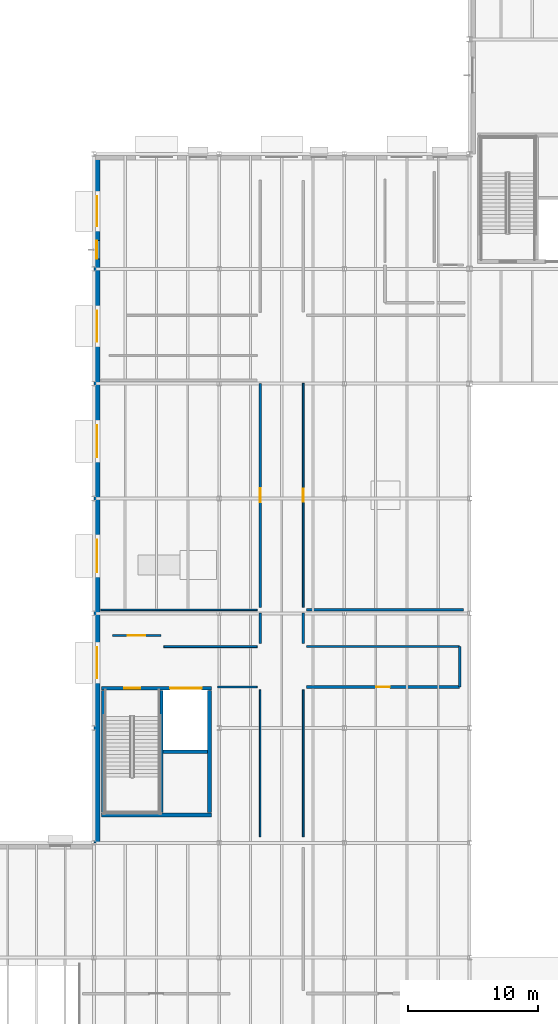
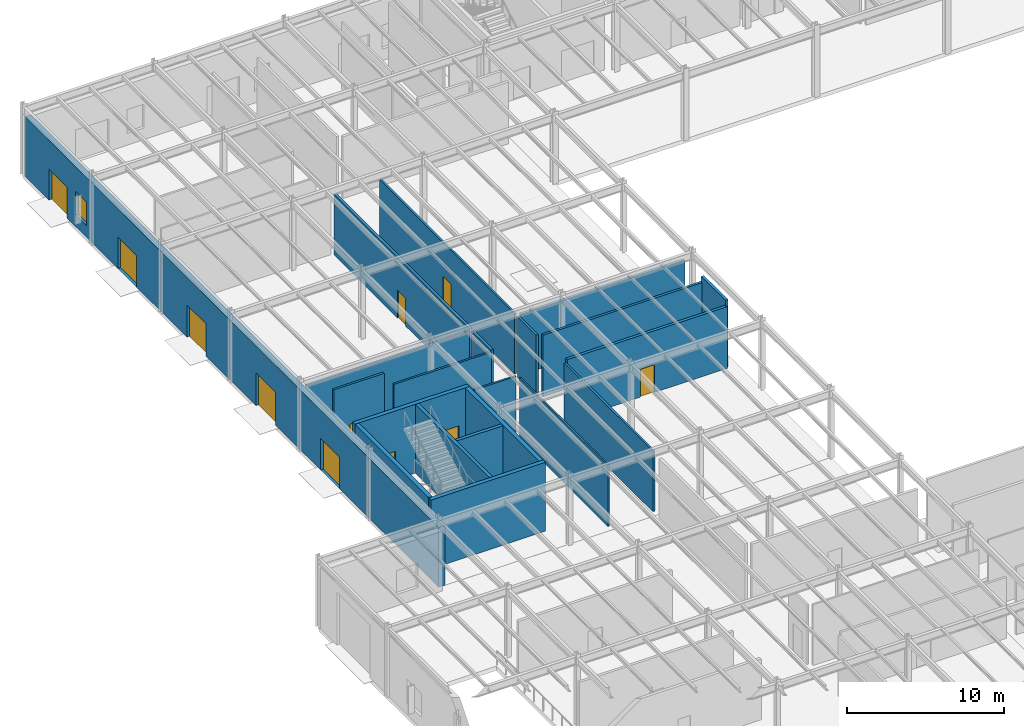
# One storey, part 45 of 70: 21 walls, 11 doors, 1 window, 12 openings.
"""IFC4 building model written with IfcOpenShell, lengths in metres."""

import ifcopenshell
import ifcopenshell.guid

model = None  # the IFC model being written
_history = None  # IfcOwnerHistory: only IFC2X3 demands one
_inside = {}  # id of a spatial element -> (the spatial element, [elements in it])
_under = {}  # id of a project, library or spatial element -> (it, [spatial elements below it])
_declared = {}  # id of a project -> (the project, [libraries it declares])
_typed = {}  # id of a type object -> (the type object, [elements of that type])
_made_of = {}  # id of a material, layer set ... -> (it, [elements and type objects made of it])


def new_model(schema):
    """Start an empty IFC model of exactly this schema.

    Asked for "IFC4X3", IfcOpenShell would pick the latest addendum, in which some entities
    have other attributes; the version numbers below select the first issue.
    IFC2X3 requires an IfcOwnerHistory on every rooted entity: one is made here for all.
    """
    global model, _history
    if schema == "IFC4X3":
        model = ifcopenshell.file(schema_version=(4, 3, 0, 0))
    else:
        model = ifcopenshell.file(schema=schema)
    _inside.clear()
    _under.clear()
    _declared.clear()
    _typed.clear()
    _made_of.clear()
    _history = None
    if model.schema == "IFC2X3":
        org = make("IfcOrganization", Name="unknown")
        user = make(
            "IfcPersonAndOrganization",
            ThePerson=make("IfcPerson", FamilyName="unknown"),
            TheOrganization=org,
        )
        app = make(
            "IfcApplication",
            ApplicationDeveloper=org,
            Version="unknown",
            ApplicationFullName="unknown",
            ApplicationIdentifier="unknown",
        )
        _history = make(
            "IfcOwnerHistory",
            OwningUser=user,
            OwningApplication=app,
            ChangeAction="ADDED",
            CreationDate=0,
        )
    return model


def make(cls, **values):
    """One entity of the class cls with the attributes given. An attribute that is None is left unset."""
    return model.create_entity(
        cls, **{name: value for name, value in values.items() if value is not None}
    )


def rooted(cls, **values):
    """An entity with a GlobalId (a new one), such as an element, a storey or a relation."""
    return make(cls, GlobalId=ifcopenshell.guid.new(), OwnerHistory=_history, **values)


def si_unit(unit_type, name, prefix=None):
    """IfcSIUnit, for example si_unit("LENGTHUNIT", "METRE", prefix="MILLI")."""
    return make("IfcSIUnit", UnitType=unit_type, Prefix=prefix, Name=name)


def assignment(units):
    """IfcUnitAssignment: the units of a project."""
    return None if units is None else make("IfcUnitAssignment", Units=units)


def point(xyz):
    """IfcCartesianPoint."""
    return None if xyz is None else make("IfcCartesianPoint", Coordinates=xyz)


def direction(xyz):
    """IfcDirection."""
    return None if xyz is None else make("IfcDirection", DirectionRatios=xyz)


def frame(location, z_axis=None, x_axis=None):
    """IfcAxis2Placement3D, a coordinate frame: its origin and axes. An axis left out is left unset."""
    return make(
        "IfcAxis2Placement3D",
        Location=point(location),
        Axis=direction(z_axis),
        RefDirection=direction(x_axis),
    )


def frame_2d(location, x_axis=None):
    """IfcAxis2Placement2D, a coordinate frame in the plane: its origin and x axis."""
    return make(
        "IfcAxis2Placement2D", Location=point(location), RefDirection=direction(x_axis)
    )


def origin():
    """The frame at (0, 0, 0) with its axes left unset."""
    return frame((0.0, 0.0, 0.0))


def place(relative_to, where):
    """IfcLocalPlacement: puts the frame where relative to a parent placement (None: the world)."""
    return make(
        "IfcLocalPlacement", PlacementRelTo=relative_to, RelativePlacement=where
    )


def context(
    kind, dimensions, precision=None, world=None, true_north=None, identifier=None
):
    """IfcGeometricRepresentationContext, for example the 3D "Model" context."""
    return make(
        "IfcGeometricRepresentationContext",
        ContextIdentifier=identifier,
        ContextType=kind,
        CoordinateSpaceDimension=dimensions,
        Precision=precision,
        WorldCoordinateSystem=world,
        TrueNorth=true_north,
    )


def subcontext(parent, identifier, kind, view, scale=None):
    """IfcGeometricRepresentationSubContext, for example "Body" below "Model"."""
    return make(
        "IfcGeometricRepresentationSubContext",
        ContextIdentifier=identifier,
        ContextType=kind,
        ParentContext=parent,
        TargetScale=scale,
        TargetView=view,
    )


def project(units=None, contexts=None):
    """IfcProject with its units and contexts."""
    return rooted(
        "IfcProject",
        Name="project",
        RepresentationContexts=contexts,
        UnitsInContext=assignment(units),
    )


def spatial(cls, under=None, at=None, **own):
    """A site, building, storey or space (cls), placed at a placement, below another one or the project."""
    s = rooted(cls, ObjectPlacement=at, **own)
    if under is not None:
        _under.setdefault(under.id(), (under, []))[1].append(s)
    return s


def profile(cls, at=None, kind="AREA", **sizes):
    """A parametric profile (cls). Its sizes go by their IFC names, for example OverallWidth=200.0."""
    return make(cls, ProfileType=kind, Position=at, **sizes)


def rectangle(**sizes):
    """IfcRectangleProfileDef."""
    return profile("IfcRectangleProfileDef", **sizes)


def extrude(swept, where, along, depth):
    """IfcExtrudedAreaSolid: the profile swept, set in the frame where, extruded along a direction by depth."""
    return make(
        "IfcExtrudedAreaSolid",
        SweptArea=swept,
        Position=where,
        ExtrudedDirection=direction(along),
        Depth=depth,
    )


def shape(context_of_items, identifier, shape_type, items):
    """IfcShapeRepresentation: the items that make up one representation, for example the "Body"."""
    return make(
        "IfcShapeRepresentation",
        ContextOfItems=context_of_items,
        RepresentationIdentifier=identifier,
        RepresentationType=shape_type,
        Items=items,
    )


def material(Name=None, Category=None):
    """IfcMaterial."""
    return make("IfcMaterial", Name=Name, Category=Category)


def layer(
    of_material, thickness, ventilated=None, Name=None, Category=None, Priority=None
):
    """IfcMaterialLayer: one layer of a wall or slab, of a material (None: an air gap)."""
    return make(
        "IfcMaterialLayer",
        Material=of_material,
        LayerThickness=thickness,
        IsVentilated=ventilated,
        Name=Name,
        Category=Category,
        Priority=Priority,
    )


def layer_set(layers, Name=None):
    """IfcMaterialLayerSet."""
    return make("IfcMaterialLayerSet", MaterialLayers=layers, LayerSetName=Name)


def made_of(thing, what):
    """Note that an element or type object is made of a material, layer set ...; save() writes the relation."""
    if what is not None:
        _made_of.setdefault(what.id(), (what, []))[1].append(thing)
    return thing


def type_object(cls, material=None, **own):
    """A type object (cls), such as IfcWallType, which elements share."""
    return made_of(rooted(cls, **own), material)


def element(
    cls,
    number,
    at=None,
    inside=None,
    cuts=None,
    type_object=None,
    material=None,
    context=None,
    identifier="Body",
    shape_type=None,
    held_by="IfcProductDefinitionShape",
    body=None,
    shapes=None,
    **own,
):
    """One element of the class cls, such as IfcWall. Its Tag is "e" and its number.

    at: its placement. inside: the storey or other place that contains it. cuts: it is an
    opening in that element (IfcRelVoidsElement). A single representation is given by context,
    identifier, shape_type and body (its items); several are given by shapes. held_by: the class
    of the entity that holds the representations. save() writes the other relations.
    """
    e = rooted(cls, Tag="e%d" % number, ObjectPlacement=at, **own)
    if body is not None:
        shapes = [shape(context, identifier, shape_type, body)]
    if shapes is not None:
        e.Representation = make(held_by, Representations=shapes)
    if inside is not None:
        _inside.setdefault(inside.id(), (inside, []))[1].append(e)
    if cuts is not None:
        rooted(
            "IfcRelVoidsElement", RelatingBuildingElement=cuts, RelatedOpeningElement=e
        )
    if type_object is not None:
        _typed.setdefault(type_object.id(), (type_object, []))[1].append(e)
    return made_of(e, material)


def fill(opening, filler):
    """IfcRelFillsElement: the door or window that sits in an opening."""
    return rooted(
        "IfcRelFillsElement",
        RelatingOpeningElement=opening,
        RelatedBuildingElement=filler,
    )


def aggregate(whole, parts):
    """IfcRelAggregates: a whole, such as a stair, and the parts it consists of."""
    return rooted("IfcRelAggregates", RelatingObject=whole, RelatedObjects=parts)


def save(model, path):
    """Write the relations noted so far, then the file.

    IfcRelAggregates (storeys below a building ...), IfcRelContainedInSpatialStructure (elements
    in a storey), IfcRelDefinesByType, IfcRelAssociatesMaterial and IfcRelDeclares: one each for
    every whole, place, type object, material and project.
    """
    for whole, parts in _under.values():
        aggregate(whole, parts)
    for where, things in _inside.values():
        rooted(
            "IfcRelContainedInSpatialStructure",
            RelatedElements=things,
            RelatingStructure=where,
        )
    for kind, things in _typed.values():
        rooted("IfcRelDefinesByType", RelatedObjects=things, RelatingType=kind)
    for what, things in _made_of.values():
        rooted("IfcRelAssociatesMaterial", RelatedObjects=things, RelatingMaterial=what)
    for by, libraries in _declared.values():
        rooted("IfcRelDeclares", RelatingContext=by, RelatedDefinitions=libraries)
    model.write(path)


model = new_model("IFC4")

# Units and contexts
model_context = context("Model", 3, precision=1e-05, world=origin(), true_north=direction((0.0, 1.0)))
body_context = subcontext(model_context, "Body", "Model", "MODEL_VIEW")
ifc_project = project(units=[si_unit("LENGTHUNIT", "METRE"), si_unit("AREAUNIT", "SQUARE_METRE"), si_unit("VOLUMEUNIT", "CUBIC_METRE"), si_unit("PLANEANGLEUNIT", "RADIAN"), si_unit("MASSUNIT", "GRAM", prefix="KILO")], contexts=[model_context])

# Site, building, storey
site_placement = place(None, origin())
site = spatial("IfcSite", under=ifc_project, at=site_placement, CompositionType="ELEMENT")
building_placement = place(site_placement, origin())
building = spatial("IfcBuilding", under=site, at=building_placement, Name="Sarnbrook Museum", CompositionType="ELEMENT")
storey_placement = place(building_placement, origin())
storey = spatial("IfcBuildingStorey", under=building, at=storey_placement, Name="L00", CompositionType="ELEMENT", Elevation=0.0)

# Wall
ifc_material_1 = material(Name="Concrete N50 (AS 3600, f'c = 50 MPa)", Category="concrete")
ifc_layer_1 = layer(ifc_material_1, 0.300048828125)
ifc_layer_set_1 = layer_set([ifc_layer_1], Name="Concrete N50 (AS 3600, f'c = 50 MPa)")
wall_type_1 = type_object("IfcWallType", Name="CoreWall_CWRC", PredefinedType="SHEAR", material=ifc_layer_set_1)
wall_1_placement = place(storey_placement, frame((14.199951171875, 41.35009765625, 0.0), z_axis=(0.0, 0.0, 1.0), x_axis=(1.0, 0.0, 0.0)))
element("IfcWall", 1, at=wall_1_placement, inside=storey, type_object=wall_type_1, Name="Core C5 Shear Wall S L00", PredefinedType="SHEAR", context=body_context, shape_type="SweptSolid", body=[
    extrude(rectangle(XDim=8.400146484375, YDim=0.300048828125, at=frame_2d((4.2001953125, 0.0))), origin(), (0.0, 0.0, 1.0), 5.344970703125),
])

# Wall, openings, doors
wall_2_placement = place(storey_placement, frame((22.60009765625, 51.050048828125, 0.0), z_axis=(0.0, 0.0, 1.0), x_axis=(-1.0, 0.0, 0.0)))
wall_2 = element("IfcWall", 2, at=wall_2_placement, inside=storey, type_object=wall_type_1, Name="Core C5 Shear Wall N L00", PredefinedType="SHEAR", context=body_context, shape_type="SweptSolid", body=[
    extrude(rectangle(XDim=8.400146484375, YDim=0.300048828125, at=frame_2d((4.2001953125, 0.0))), origin(), (0.0, 0.0, 1.0), 5.344970703125),
])
opening_1_placement = place(wall_2_placement, frame((5.43505859375, 0.0, 0.0)))
opening_1 = element("IfcOpeningElement", 3, at=opening_1_placement, cuts=wall_2, Name="Opening D-ST-ST5-L00", PredefinedType="OPENING", context=body_context, shape_type="SweptSolid", body=[
    extrude(rectangle(XDim=1.25, YDim=2.199951171875, at=frame_2d((0.625, 1.10009765625))), frame((0.0, 0.16015625, 0.0), z_axis=(0.0, -1.0, 0.0), x_axis=(1.0, 0.0, 0.0)), (0.0, 0.0, 1.0), 0.320068359375),
])
opening_2_placement = place(wall_2_placement, frame((0.75, 0.0, 0.0)))
opening_2 = element("IfcOpeningElement", 4, at=opening_2_placement, cuts=wall_2, Name="Opening LD-GL1-L00", PredefinedType="OPENING", context=body_context, shape_type="SweptSolid", body=[
    extrude(rectangle(XDim=2.39990234375, YDim=2.550048828125, at=frame_2d((1.199951171875, 1.27490234375))), frame((0.0, 0.16015625, 0.0), z_axis=(0.0, -1.0, 0.0), x_axis=(1.0, 0.0, 0.0)), (0.0, 0.0, 1.0), 0.320068359375),
])
ifc_material_2 = material(Name="Tasmanian Oak Acoustic Timber", Category="wood")
door_type_1 = type_object("IfcDoorType", Name="FireDoor_FD120", OperationType="NOTDEFINED", PredefinedType="DOOR", material=ifc_material_2)
door_1_placement = place(opening_1_placement, frame((1.25, 0.0, 0.0), z_axis=(0.0, 0.0, 1.0), x_axis=(-1.0, 0.0, 0.0)))
door_1 = element("IfcDoor", 5, at=door_1_placement, inside=storey, type_object=door_type_1, Name="Exit Stair ST5 Fire Door L00", OperationType="SINGLE_SWING_LEFT", OverallHeight=2.199951171875, OverallWidth=1.25, PredefinedType="DOOR", context=body_context, shape_type="SweptSolid", body=[
    extrude(rectangle(XDim=1.25, YDim=2.199951171875, at=frame_2d((0.625, 1.10009765625))), frame((0.0, 0.02490234375, 0.0), z_axis=(0.0, -1.0, 0.0), x_axis=(1.0, 0.0, 0.0)), (0.0, 0.0, 1.0), 0.050048828125),
])
fill(opening_1, door_1)
ifc_material_3 = material(Name="Brushed Stainless Steel Grade 316", Category="steel")
door_type_2 = type_object("IfcDoorType", Name="LiftDoor_Goods240", OperationType="DOUBLE_DOOR_SLIDING", PredefinedType="DOOR", material=ifc_material_3)
door_2_placement = place(opening_2_placement, origin())
door_2 = element("IfcDoor", 6, at=door_2_placement, inside=storey, type_object=door_type_2, Name="Lift Landing Sliding Door LD-GL1-L00", OperationType="DOUBLE_DOOR_SLIDING", OverallHeight=2.550048828125, OverallWidth=2.39990234375, PredefinedType="DOOR", context=body_context, shape_type="SweptSolid", body=[
    extrude(rectangle(XDim=2.39990234375, YDim=2.550048828125, at=frame_2d((1.199951171875, 1.27490234375))), frame((0.0, 0.02490234375, 0.0), z_axis=(0.0, -1.0, 0.0), x_axis=(1.0, 0.0, 0.0)), (0.0, 0.0, 1.0), 0.050048828125),
])
fill(opening_2, door_2)

# Walls
for number, where, z_axis, x_axis, name in (
    (7, (22.449951171875, 41.510009765625, 0.0), (0.0, 0.0, 1.0), (0.0, 1.0, 0.0), "Core C5 Shear Wall E L00"),
    (8, (14.35009765625, 50.889892578125, 0.0), (0.0, 0.0, 1.0), (0.0, -1.0, 0.0), "Core C5 Shear Wall W L00"),
):
    element("IfcWall", number, at=place(storey_placement, frame(where, z_axis=z_axis, x_axis=x_axis)), inside=storey, type_object=wall_type_1, Name=name, PredefinedType="SHEAR", context=body_context, shape_type="SweptSolid", body=[
        extrude(rectangle(XDim=9.3798828125, YDim=0.300048828125, at=frame_2d((4.68994140625, 0.0))), origin(), (0.0, 0.0, 1.0), 5.344970703125),
    ])
ifc_material_4 = material(Name="Fire-Rated Acoustic Gypsum Plasterboard")
ifc_layer_2 = layer(ifc_material_4, 0.1201171875)
ifc_layer_set_2 = layer_set([ifc_layer_2], Name="Fire-Rated Acoustic Gypsum Plasterboard")
wall_type_2 = type_object("IfcWallType", Name="PartWall_P120", PredefinedType="PARTITIONING", material=ifc_layer_set_2)
wall_3_placement = place(storey_placement, frame((26.35009765625, 50.919921875, 0.0), z_axis=(0.0, 0.0, 1.0), x_axis=(0.0, -1.0, 0.0)))
element("IfcWall", 9, at=wall_3_placement, inside=storey, type_object=wall_type_2, Name="Interior Partition Wall L00-0244", PredefinedType="PARTITIONING", context=body_context, shape_type="SweptSolid", body=[
    extrude(rectangle(XDim=11.27001953125, YDim=0.1201171875, at=frame_2d((5.635009765625, 0.0))), origin(), (0.0, 0.0, 1.0), 4.7080078125),
])
wall_4_placement = place(storey_placement, frame((14.139892578125, 57.06005859375, 0.0), z_axis=(0.0, 0.0, 1.0), x_axis=(1.0, 0.0, 0.0)))
element("IfcWall", 10, at=wall_4_placement, inside=storey, type_object=wall_type_2, Name="Interior Partition Wall L00-0286", PredefinedType="PARTITIONING", context=body_context, shape_type="SweptSolid", body=[
    extrude(rectangle(XDim=11.980224609375, YDim=0.1201171875, at=frame_2d((5.990234375, 0.0))), origin(), (0.0, 0.0, 1.0), 4.7080078125),
])
ifc_layer_3 = layer(ifc_material_4, 0.135009765625)
ifc_layer_set_3 = layer_set([ifc_layer_3], Name="Fire-Rated Acoustic Gypsum Plasterboard")
wall_type_3 = type_object("IfcWallType", Name="PartWall_P135", PredefinedType="PARTITIONING", material=ifc_layer_set_3)
wall_5_placement = place(storey_placement, frame((23.080078125, 51.14990234375, 0.0), z_axis=(0.0, 0.0, 1.0), x_axis=(1.0, 0.0, 0.0)))
element("IfcWall", 11, at=wall_5_placement, inside=storey, type_object=wall_type_3, Name="Interior Partition Wall L00-0243", PredefinedType="PARTITIONING", context=body_context, shape_type="SweptSolid", body=[
    extrude(rectangle(XDim=3.0400390625, YDim=0.135009765625, at=frame_2d((1.52001953125, 0.0))), origin(), (0.0, 0.0, 1.0), 4.787109375),
])

# Wall, opening, door
wall_6_placement = place(storey_placement, frame((29.64990234375, 57.25, 0.0), z_axis=(0.0, 0.0, 1.0), x_axis=(0.0, 1.0, 0.0)))
wall_6 = element("IfcWall", 12, at=wall_6_placement, inside=storey, type_object=wall_type_3, Name="Interior Partition Wall L00-0257", PredefinedType="PARTITIONING", context=body_context, shape_type="SweptSolid", body=[
    extrude(rectangle(XDim=17.179931640625, YDim=0.135009765625, at=frame_2d((8.58984375, 0.0))), origin(), (0.0, 0.0, 1.0), 4.7080078125),
])
opening_3_placement = place(wall_6_placement, frame((8.10009765625, 0.0, 0.0)))
opening_3 = element("IfcOpeningElement", 13, at=opening_3_placement, cuts=wall_6, Name="Opening D-L00-079", PredefinedType="OPENING", context=body_context, shape_type="SweptSolid", body=[
    extrude(rectangle(XDim=0.97998046875, YDim=2.080078125, at=frame_2d((0.489990234375, 1.0400390625))), frame((0.0, 0.07763671875, 0.0), z_axis=(0.0, -1.0, 0.0), x_axis=(1.0, 0.0, 0.0)), (0.0, 0.0, 1.0), 0.155029296875),
])
door_type_3 = type_object("IfcDoorType", Name="IntDoor_DT03", OperationType="NOTDEFINED", PredefinedType="DOOR", material=ifc_material_2)
door_3_placement = place(opening_3_placement, frame((0.97998046875, 0.0, 0.0), z_axis=(0.0, 0.0, 1.0), x_axis=(-1.0, 0.0, 0.0)))
door_3 = element("IfcDoor", 14, at=door_3_placement, inside=storey, type_object=door_type_3, Name="Fossil Megafauna Exhibition Hall L00-28 Door D-L00-079", OperationType="SINGLE_SWING_LEFT", OverallHeight=2.080078125, OverallWidth=0.97998046875, PredefinedType="DOOR", context=body_context, shape_type="SweptSolid", body=[
    extrude(rectangle(XDim=0.97998046875, YDim=2.080078125, at=frame_2d((0.489990234375, 1.0400390625))), frame((0.0, 0.02490234375, 0.0), z_axis=(0.0, -1.0, 0.0), x_axis=(1.0, 0.0, 0.0)), (0.0, 0.0, 1.0), 0.050048828125),
])
fill(opening_3, door_3)

# Walls
ifc_layer_4 = layer(ifc_material_4, 0.14990234375)
ifc_layer_set_4 = layer_set([ifc_layer_4], Name="Fire-Rated Acoustic Gypsum Plasterboard")
wall_type_4 = type_object("IfcWallType", Name="PartWall_P150", PredefinedType="PARTITIONING", material=ifc_layer_set_4)
wall_7_placement = place(storey_placement, frame((26.1201171875, 54.25, 0.0), z_axis=(0.0, 0.0, 1.0), x_axis=(-1.0, 0.0, 0.0)))
element("IfcWall", 15, at=wall_7_placement, inside=storey, type_object=wall_type_4, Name="Interior Partition Wall L00-0242", PredefinedType="PARTITIONING", context=body_context, shape_type="SweptSolid", body=[
    extrude(rectangle(XDim=7.150146484375, YDim=0.14990234375, at=frame_2d((3.5751953125, 0.0))), origin(), (0.0, 0.0, 1.0), 4.787109375),
])
wall_8_placement = place(storey_placement, frame((29.64990234375, 39.64990234375, 0.0), z_axis=(0.0, 0.0, 1.0), x_axis=(0.0, 1.0, 0.0)))
element("IfcWall", 16, at=wall_8_placement, inside=storey, type_object=wall_type_4, Name="Interior Partition Wall L00-0256", PredefinedType="PARTITIONING", context=body_context, shape_type="SweptSolid", body=[
    extrude(rectangle(XDim=11.27001953125, YDim=0.14990234375, at=frame_2d((5.635009765625, 0.0))), origin(), (0.0, 0.0, 1.0), 4.7080078125),
])

# Wall, opening, door
ifc_layer_5 = layer(ifc_material_4, 0.1650390625)
ifc_layer_set_5 = layer_set([ifc_layer_5], Name="Fire-Rated Acoustic Gypsum Plasterboard")
wall_type_5 = type_object("IfcWallType", Name="PartWall_P165", PredefinedType="PARTITIONING", material=ifc_layer_set_5)
wall_9_placement = place(storey_placement, frame((18.72998046875, 55.090087890625, 0.0), z_axis=(0.0, 0.0, 1.0), x_axis=(-1.0, 0.0, 0.0)))
wall_9 = element("IfcWall", 17, at=wall_9_placement, inside=storey, type_object=wall_type_5, Name="Interior Partition Wall L00-0157", PredefinedType="PARTITIONING", context=body_context, shape_type="SweptSolid", body=[
    extrude(rectangle(XDim=3.702880859375, YDim=0.1650390625, at=frame_2d((1.8515625, 0.0))), origin(), (0.0, 0.0, 1.0), 5.22998046875),
])
opening_4_placement = place(wall_9_placement, frame((1.181396484375, 0.0, 0.0)))
opening_4 = element("IfcOpeningElement", 18, at=opening_4_placement, cuts=wall_9, Name="Opening D-L00-051", PredefinedType="OPENING", context=body_context, shape_type="SweptSolid", body=[
    extrude(rectangle(XDim=1.340087890625, YDim=2.159912109375, at=frame_2d((0.669921875, 1.080078125))), frame((0.0, 0.092529296875, 0.0), z_axis=(0.0, -1.0, 0.0), x_axis=(1.0, 0.0, 0.0)), (0.0, 0.0, 1.0), 0.18505859375),
])
door_type_4 = type_object("IfcDoorType", Name="IntDoor_DT13", OperationType="NOTDEFINED", PredefinedType="DOOR", material=ifc_material_2)
door_4_placement = place(opening_4_placement, origin())
door_4 = element("IfcDoor", 19, at=door_4_placement, inside=storey, type_object=door_type_4, Name="Museum Bookshop & Retail Hall L00-24 Door D-L00-051", OperationType="SINGLE_SWING_LEFT", OverallHeight=2.159912109375, OverallWidth=1.340087890625, PredefinedType="DOOR", context=body_context, shape_type="SweptSolid", body=[
    extrude(rectangle(XDim=1.340087890625, YDim=2.159912109375, at=frame_2d((0.669921875, 1.080078125))), frame((0.0, 0.02490234375, 0.0), z_axis=(0.0, -1.0, 0.0), x_axis=(1.0, 0.0, 0.0)), (0.0, 0.0, 1.0), 0.050048828125),
])
fill(opening_4, door_4)

# Walls
wall_10_placement = place(storey_placement, frame((29.64990234375, 54.47998046875, 0.0), z_axis=(0.0, 0.0, 1.0), x_axis=(0.0, 1.0, 0.0)))
element("IfcWall", 20, at=wall_10_placement, inside=storey, type_object=wall_type_5, Name="Interior Partition Wall L00-0255", PredefinedType="PARTITIONING", context=body_context, shape_type="SweptSolid", body=[
    extrude(rectangle(XDim=2.35009765625, YDim=0.1650390625, at=frame_2d((1.175048828125, 0.0))), origin(), (0.0, 0.0, 1.0), 4.7080078125),
])
ifc_layer_6 = layer(ifc_material_4, 0.179931640625)
ifc_layer_set_6 = layer_set([ifc_layer_6], Name="Fire-Rated Acoustic Gypsum Plasterboard")
wall_type_6 = type_object("IfcWallType", Name="PartWall_P180", PredefinedType="PARTITIONING", material=ifc_layer_set_6)
wall_11_placement = place(storey_placement, frame((41.639892578125, 54.25, 0.0), z_axis=(0.0, 0.0, 1.0), x_axis=(-1.0, 0.0, 0.0)))
element("IfcWall", 21, at=wall_11_placement, inside=storey, type_object=wall_type_6, Name="Interior Partition Wall L00-0254", PredefinedType="PARTITIONING", context=body_context, shape_type="SweptSolid", body=[
    extrude(rectangle(XDim=11.760009765625, YDim=0.179931640625, at=frame_2d((5.8798828125, 0.0))), origin(), (0.0, 0.0, 1.0), 4.787109375),
])

# Wall, opening, door
ifc_layer_7 = layer(ifc_material_4, 0.195068359375)
ifc_layer_set_7 = layer_set([ifc_layer_7], Name="Fire-Rated Acoustic Gypsum Plasterboard")
wall_type_7 = type_object("IfcWallType", Name="PartWall_P195", PredefinedType="PARTITIONING", material=ifc_layer_set_7)
wall_12_placement = place(storey_placement, frame((26.35009765625, 74.429931640625, 0.0), z_axis=(0.0, 0.0, 1.0), x_axis=(0.0, -1.0, 0.0)))
wall_12 = element("IfcWall", 22, at=wall_12_placement, inside=storey, type_object=wall_type_7, Name="Interior Partition Wall L00-0246", PredefinedType="PARTITIONING", context=body_context, shape_type="SweptSolid", body=[
    extrude(rectangle(XDim=17.179931640625, YDim=0.195068359375, at=frame_2d((8.58984375, 0.0))), origin(), (0.0, 0.0, 1.0), 4.7080078125),
])
opening_5_placement = place(wall_12_placement, frame((8.06494140625, 0.0, 0.0)))
opening_5 = element("IfcOpeningElement", 23, at=opening_5_placement, cuts=wall_12, Name="Opening D-L00-077", PredefinedType="OPENING", context=body_context, shape_type="SweptSolid", body=[
    extrude(rectangle(XDim=1.050048828125, YDim=2.14990234375, at=frame_2d((0.52490234375, 1.074951171875))), frame((0.0, 0.107421875, 0.0), z_axis=(0.0, -1.0, 0.0), x_axis=(1.0, 0.0, 0.0)), (0.0, 0.0, 1.0), 0.215087890625),
])
door_type_5 = type_object("IfcDoorType", Name="FireDoor_FD60", OperationType="NOTDEFINED", PredefinedType="DOOR", material=ifc_material_2)
door_5_placement = place(opening_5_placement, origin())
door_5 = element("IfcDoor", 24, at=door_5_placement, inside=storey, type_object=door_type_5, Name="Garden Court Museum Cafe L00-25 Door D-L00-077", OperationType="SINGLE_SWING_LEFT", OverallHeight=2.14990234375, OverallWidth=1.050048828125, PredefinedType="DOOR", context=body_context, shape_type="SweptSolid", body=[
    extrude(rectangle(XDim=1.050048828125, YDim=2.14990234375, at=frame_2d((0.52490234375, 1.074951171875))), frame((0.0, 0.02490234375, 0.0), z_axis=(0.0, -1.0, 0.0), x_axis=(1.0, 0.0, 0.0)), (0.0, 0.0, 1.0), 0.050048828125),
])
fill(opening_5, door_5)

# Walls
wall_13_placement = place(storey_placement, frame((41.64990234375, 51.159912109375, 0.0), z_axis=(0.0, 0.0, 1.0), x_axis=(0.0, 1.0, 0.0)))
element("IfcWall", 25, at=wall_13_placement, inside=storey, type_object=wall_type_7, Name="Interior Partition Wall L00-0253", PredefinedType="PARTITIONING", context=body_context, shape_type="SweptSolid", body=[
    extrude(rectangle(XDim=3.080078125, YDim=0.195068359375, at=frame_2d((1.5400390625, 0.0))), origin(), (0.0, 0.0, 1.0), 5.22998046875),
])
wall_14_placement = place(storey_placement, frame((29.8798828125, 57.06005859375, 0.0), z_axis=(0.0, 0.0, 1.0), x_axis=(1.0, 0.0, 0.0)))
element("IfcWall", 26, at=wall_14_placement, inside=storey, type_object=wall_type_7, Name="Interior Partition Wall L00-0288", PredefinedType="PARTITIONING", context=body_context, shape_type="SweptSolid", body=[
    extrude(rectangle(XDim=12.0400390625, YDim=0.195068359375, at=frame_2d((6.02001953125, 0.0))), origin(), (0.0, 0.0, 1.0), 4.7080078125),
])
ifc_layer_8 = layer(ifc_material_4, 0.2099609375)
ifc_layer_set_8 = layer_set([ifc_layer_8], Name="Fire-Rated Acoustic Gypsum Plasterboard")
wall_type_8 = type_object("IfcWallType", Name="PartWall_P210", PredefinedType="PARTITIONING", material=ifc_layer_set_8)
wall_15_placement = place(storey_placement, frame((26.35009765625, 56.830078125, 0.0), z_axis=(0.0, 0.0, 1.0), x_axis=(0.0, -1.0, 0.0)))
element("IfcWall", 27, at=wall_15_placement, inside=storey, type_object=wall_type_8, Name="Interior Partition Wall L00-0245", PredefinedType="PARTITIONING", context=body_context, shape_type="SweptSolid", body=[
    extrude(rectangle(XDim=2.35009765625, YDim=0.2099609375, at=frame_2d((1.175048828125, 0.0))), origin(), (0.0, 0.0, 1.0), 4.7080078125),
])

# Wall, opening, door
wall_16_placement = place(storey_placement, frame((29.8798828125, 51.14990234375, 0.0), z_axis=(0.0, 0.0, 1.0), x_axis=(1.0, 0.0, 0.0)))
wall_16 = element("IfcWall", 28, at=wall_16_placement, inside=storey, type_object=wall_type_8, Name="Interior Partition Wall L00-0252", PredefinedType="PARTITIONING", context=body_context, shape_type="SweptSolid", body=[
    extrude(rectangle(XDim=11.760009765625, YDim=0.2099609375, at=frame_2d((5.8798828125, 0.0))), origin(), (0.0, 0.0, 1.0), 4.787109375),
])
opening_6_placement = place(wall_16_placement, frame((5.35498046875, 0.0, 0.0)))
opening_6 = element("IfcOpeningElement", 29, at=opening_6_placement, cuts=wall_16, Name="Opening D-L00-078", PredefinedType="OPENING", context=body_context, shape_type="SweptSolid", body=[
    extrude(rectangle(XDim=1.050048828125, YDim=2.14990234375, at=frame_2d((0.52490234375, 1.074951171875))), frame((0.0, 0.114990234375, 0.0), z_axis=(0.0, -1.0, 0.0), x_axis=(1.0, 0.0, 0.0)), (0.0, 0.0, 1.0), 0.22998046875),
])
door_6_placement = place(opening_6_placement, origin())
door_6 = element("IfcDoor", 30, at=door_6_placement, inside=storey, type_object=door_type_5, Name="Seminar & Education Studio L00-27 Door D-L00-078", OperationType="SINGLE_SWING_RIGHT", OverallHeight=2.14990234375, OverallWidth=1.050048828125, PredefinedType="DOOR", context=body_context, shape_type="SweptSolid", body=[
    extrude(rectangle(XDim=1.050048828125, YDim=2.14990234375, at=frame_2d((0.52490234375, 1.074951171875))), frame((0.0, 0.02490234375, 0.0), z_axis=(0.0, -1.0, 0.0), x_axis=(1.0, 0.0, 0.0)), (0.0, 0.0, 1.0), 0.050048828125),
])
fill(opening_6, door_6)

# Walls
ifc_material_5 = material(Name="Concrete N40 (AS 3600, f'c = 40 MPa)", Category="concrete")
ifc_layer_9 = layer(ifc_material_5, 0.239990234375)
ifc_layer_set_9 = layer_set([ifc_layer_9], Name="Concrete N40 (AS 3600, f'c = 40 MPa)")
wall_type_9 = type_object("IfcWallType", Name="ShaftWall_SWRC", PredefinedType="SOLIDWALL", material=ifc_layer_set_9)
wall_17_placement = place(storey_placement, frame((18.77001953125, 41.510009765625, 0.0), z_axis=(0.0, 0.0, 1.0), x_axis=(0.0, 1.0, 0.0)))
element("IfcWall", 31, at=wall_17_placement, inside=storey, type_object=wall_type_9, Name="Stairwell ST5 Fire Shaft Wall L00", PredefinedType="SOLIDWALL", context=body_context, shape_type="SweptSolid", body=[
    extrude(rectangle(XDim=9.3798828125, YDim=0.239990234375, at=frame_2d((4.68994140625, 0.0))), origin(), (0.0, 0.0, 1.0), 5.344970703125),
])
wall_18_placement = place(storey_placement, frame((18.89990234375, 46.179931640625, 0.0), z_axis=(0.0, 0.0, 1.0), x_axis=(1.0, 0.0, 0.0)))
element("IfcWall", 32, at=wall_18_placement, inside=storey, type_object=wall_type_9, Name="Lift GL1 Shaft Rear Wall L00", PredefinedType="SOLIDWALL", context=body_context, shape_type="SweptSolid", body=[
    extrude(rectangle(XDim=3.39013671875, YDim=0.239990234375, at=frame_2d((1.695068359375, 0.0))), origin(), (0.0, 0.0, 1.0), 5.344970703125),
])

# Wall, openings, doors, window
ifc_material_6 = material(Name="Barrabool Sandstone Ashlar Cladding", Category="masonry")
ifc_layer_10 = layer(ifc_material_6, 0.4599609375)
ifc_layer_set_10 = layer_set([ifc_layer_10], Name="Barrabool Sandstone Ashlar Cladding")
wall_type_10 = type_object("IfcWallType", Name="Wall_SandstoneExt460", PredefinedType="SOLIDWALL", material=ifc_layer_set_10)
wall_19_placement = place(storey_placement, frame((13.830078125, 91.763916015625, 0.0), z_axis=(0.0, 0.0, 1.0), x_axis=(0.0, -1.0, 0.0)))
wall_19 = element("IfcWall", 33, at=wall_19_placement, inside=storey, type_object=wall_type_10, Name="Classical Sandstone Facade Wall L00-11", PredefinedType="SOLIDWALL", context=body_context, shape_type="SweptSolid", body=[
    extrude(rectangle(XDim=52.56396484375, YDim=0.4599609375, at=frame_2d((26.281982421875, 0.0))), origin(), (0.0, 0.0, 1.0), 4.653076171875),
])
opening_7_placement = place(wall_19_placement, frame((29.31396484375, 0.0, 0.0)))
opening_7 = element("IfcOpeningElement", 34, at=opening_7_placement, cuts=wall_19, Name="Opening ED24", PredefinedType="OPENING", context=body_context, shape_type="SweptSolid", body=[
    extrude(rectangle(XDim=2.5, YDim=2.550048828125, at=frame_2d((1.25, 1.27490234375))), frame((0.0, 0.239990234375, 0.0), z_axis=(0.0, -1.0, 0.0), x_axis=(1.0, 0.0, 0.0)), (0.0, 0.0, 1.0), 0.47998046875),
])
opening_8_placement = place(wall_19_placement, frame((20.5390625, 0.0, 0.0)))
opening_8 = element("IfcOpeningElement", 35, at=opening_8_placement, cuts=wall_19, Name="Opening ED25", PredefinedType="OPENING", context=body_context, shape_type="SweptSolid", body=[
    extrude(rectangle(XDim=2.449951171875, YDim=2.5, at=frame_2d((1.22509765625, 1.25))), frame((0.0, 0.239990234375, 0.0), z_axis=(0.0, -1.0, 0.0), x_axis=(1.0, 0.0, 0.0)), (0.0, 0.0, 1.0), 0.47998046875),
])
opening_9_placement = place(wall_19_placement, frame((11.763916015625, 0.0, 0.0)))
opening_9 = element("IfcOpeningElement", 36, at=opening_9_placement, cuts=wall_19, Name="Opening ED26", PredefinedType="OPENING", context=body_context, shape_type="SweptSolid", body=[
    extrude(rectangle(XDim=2.39990234375, YDim=2.449951171875, at=frame_2d((1.199951171875, 1.22509765625))), frame((0.0, 0.239990234375, 0.0), z_axis=(0.0, -1.0, 0.0), x_axis=(1.0, 0.0, 0.0)), (0.0, 0.0, 1.0), 0.47998046875),
])
opening_10_placement = place(wall_19_placement, frame((3.013916015625, 0.0, 0.0)))
opening_10 = element("IfcOpeningElement", 37, at=opening_10_placement, cuts=wall_19, Name="Opening ED27", PredefinedType="OPENING", context=body_context, shape_type="SweptSolid", body=[
    extrude(rectangle(XDim=2.300048828125, YDim=2.39990234375, at=frame_2d((1.14990234375, 1.199951171875))), frame((0.0, 0.239990234375, 0.0), z_axis=(0.0, -1.0, 0.0), x_axis=(1.0, 0.0, 0.0)), (0.0, 0.0, 1.0), 0.47998046875),
])
opening_11_placement = place(wall_19_placement, frame((37.56396484375, 0.0, 0.0)))
opening_11 = element("IfcOpeningElement", 38, at=opening_11_placement, cuts=wall_19, Name="Opening ED34", PredefinedType="OPENING", context=body_context, shape_type="SweptSolid", body=[
    extrude(rectangle(XDim=2.39990234375, YDim=2.449951171875, at=frame_2d((1.199951171875, 1.22509765625))), frame((0.0, 0.239990234375, 0.0), z_axis=(0.0, -1.0, 0.0), x_axis=(1.0, 0.0, 0.0)), (0.0, 0.0, 1.0), 0.47998046875),
])
opening_12_placement = place(wall_19_placement, frame((6.39990234375, 0.0, 0.89990234375)))
opening_12 = element("IfcOpeningElement", 39, at=opening_12_placement, cuts=wall_19, Name="Opening WT-15", PredefinedType="OPENING", context=body_context, shape_type="SweptSolid", body=[
    extrude(rectangle(XDim=1.39990234375, YDim=1.85009765625, at=frame_2d((0.699951171875, 0.925048828125))), frame((0.0, 0.239990234375, 0.0), z_axis=(0.0, -1.0, 0.0), x_axis=(1.0, 0.0, 0.0)), (0.0, 0.0, 1.0), 0.47998046875),
])
ifc_material_7 = material(Name="Thermally Broken Anodised Aluminium 6063-T6", Category="aluminium")
door_type_6 = type_object("IfcDoorType", Name="DoorType_EDT1", OperationType="DOUBLE_DOOR_SINGLE_SWING", PredefinedType="DOOR", material=ifc_material_7)
door_7_placement = place(opening_8_placement, frame((2.449951171875, 0.0, 0.0), z_axis=(0.0, 0.0, 1.0), x_axis=(-1.0, 0.0, 0.0)))
door_7 = element("IfcDoor", 40, at=door_7_placement, inside=storey, type_object=door_type_6, Name="West Sculpture Court Pedestrian Exit Door ED25", OperationType="DOUBLE_DOOR_SINGLE_SWING", OverallHeight=2.5, OverallWidth=2.449951171875, PredefinedType="DOOR", context=body_context, shape_type="SweptSolid", body=[
    extrude(rectangle(XDim=2.449951171875, YDim=2.5, at=frame_2d((1.22509765625, 1.25))), frame((0.0, 0.02490234375, 0.0), z_axis=(0.0, -1.0, 0.0), x_axis=(1.0, 0.0, 0.0)), (0.0, 0.0, 1.0), 0.050048828125),
])
fill(opening_8, door_7)
door_type_7 = type_object("IfcDoorType", Name="DoorType_EDT2", OperationType="DOUBLE_DOOR_SINGLE_SWING", PredefinedType="DOOR", material=ifc_material_7)
door_8_placement = place(opening_9_placement, frame((2.39990234375, 0.0, 0.0), z_axis=(0.0, 0.0, 1.0), x_axis=(-1.0, 0.0, 0.0)))
door_8 = element("IfcDoor", 41, at=door_8_placement, inside=storey, type_object=door_type_7, Name="West Sculpture Court Pedestrian Exit Door ED26", OperationType="DOUBLE_DOOR_SINGLE_SWING", OverallHeight=2.449951171875, OverallWidth=2.39990234375, PredefinedType="DOOR", context=body_context, shape_type="SweptSolid", body=[
    extrude(rectangle(XDim=2.39990234375, YDim=2.449951171875, at=frame_2d((1.199951171875, 1.22509765625))), frame((0.0, 0.02490234375, 0.0), z_axis=(0.0, -1.0, 0.0), x_axis=(1.0, 0.0, 0.0)), (0.0, 0.0, 1.0), 0.050048828125),
])
fill(opening_9, door_8)
door_9_placement = place(opening_11_placement, frame((2.39990234375, 0.0, 0.0), z_axis=(0.0, 0.0, 1.0), x_axis=(-1.0, 0.0, 0.0)))
door_9 = element("IfcDoor", 42, at=door_9_placement, inside=storey, type_object=door_type_7, Name="Exit Stair ST5 Direct Pedestrian Final Exit Door ED34", OperationType="DOUBLE_DOOR_SINGLE_SWING", OverallHeight=2.449951171875, OverallWidth=2.39990234375, PredefinedType="DOOR", context=body_context, shape_type="SweptSolid", body=[
    extrude(rectangle(XDim=2.39990234375, YDim=2.449951171875, at=frame_2d((1.199951171875, 1.22509765625))), frame((0.0, 0.02490234375, 0.0), z_axis=(0.0, -1.0, 0.0), x_axis=(1.0, 0.0, 0.0)), (0.0, 0.0, 1.0), 0.050048828125),
])
fill(opening_11, door_9)
door_type_8 = type_object("IfcDoorType", Name="DoorType_EDT3", OperationType="DOUBLE_DOOR_SINGLE_SWING", PredefinedType="DOOR", material=ifc_material_3)
door_10_placement = place(opening_10_placement, frame((2.300048828125, 0.0, 0.0), z_axis=(0.0, 0.0, 1.0), x_axis=(-1.0, 0.0, 0.0)))
door_10 = element("IfcDoor", 43, at=door_10_placement, inside=storey, type_object=door_type_8, Name="West Sculpture Court Pedestrian Exit Door ED27", OperationType="DOUBLE_DOOR_SINGLE_SWING", OverallHeight=2.39990234375, OverallWidth=2.300048828125, PredefinedType="DOOR", context=body_context, shape_type="SweptSolid", body=[
    extrude(rectangle(XDim=2.300048828125, YDim=2.39990234375, at=frame_2d((1.14990234375, 1.199951171875))), frame((0.0, 0.02490234375, 0.0), z_axis=(0.0, -1.0, 0.0), x_axis=(1.0, 0.0, 0.0)), (0.0, 0.0, 1.0), 0.050048828125),
])
fill(opening_10, door_10)
door_type_9 = type_object("IfcDoorType", Name="DoorType_EDT4", OperationType="DOUBLE_DOOR_SINGLE_SWING", PredefinedType="DOOR", material=ifc_material_7)
door_11_placement = place(opening_7_placement, frame((2.5, 0.0, 0.0), z_axis=(0.0, 0.0, 1.0), x_axis=(-1.0, 0.0, 0.0)))
door_11 = element("IfcDoor", 44, at=door_11_placement, inside=storey, type_object=door_type_9, Name="West Sculpture Court Pedestrian Exit Door ED24", OperationType="DOUBLE_DOOR_SINGLE_SWING", OverallHeight=2.550048828125, OverallWidth=2.5, PredefinedType="DOOR", context=body_context, shape_type="SweptSolid", body=[
    extrude(rectangle(XDim=2.5, YDim=2.550048828125, at=frame_2d((1.25, 1.27490234375))), frame((0.0, 0.02490234375, 0.0), z_axis=(0.0, -1.0, 0.0), x_axis=(1.0, 0.0, 0.0)), (0.0, 0.0, 1.0), 0.050048828125),
])
fill(opening_7, door_11)
ifc_material_8 = material(Name="Double-Glazed Low-Iron Laminated Safety Glass", Category="glass")
window_type = type_object("IfcWindowType", Name="Window_Classical_WT15", PartitioningType="SINGLE_PANEL", PredefinedType="WINDOW", material=ifc_material_8)
window_placement = place(opening_12_placement, origin())
window = element("IfcWindow", 45, at=window_placement, inside=storey, type_object=window_type, Name="Classical Bronze Casement Window WIN:L00:0015", OverallHeight=1.85009765625, OverallWidth=1.39990234375, PartitioningType="SINGLE_PANEL", PredefinedType="WINDOW", context=body_context, shape_type="SweptSolid", body=[
    extrude(rectangle(XDim=1.39990234375, YDim=1.85009765625, at=frame_2d((0.699951171875, 0.925048828125))), frame((0.0, 0.030029296875, 0.0), z_axis=(0.0, -1.0, 0.0), x_axis=(1.0, 0.0, 0.0)), (0.0, 0.0, 1.0), 0.06005859375),
])
fill(opening_12, window)

save(model, "model.ifc")
